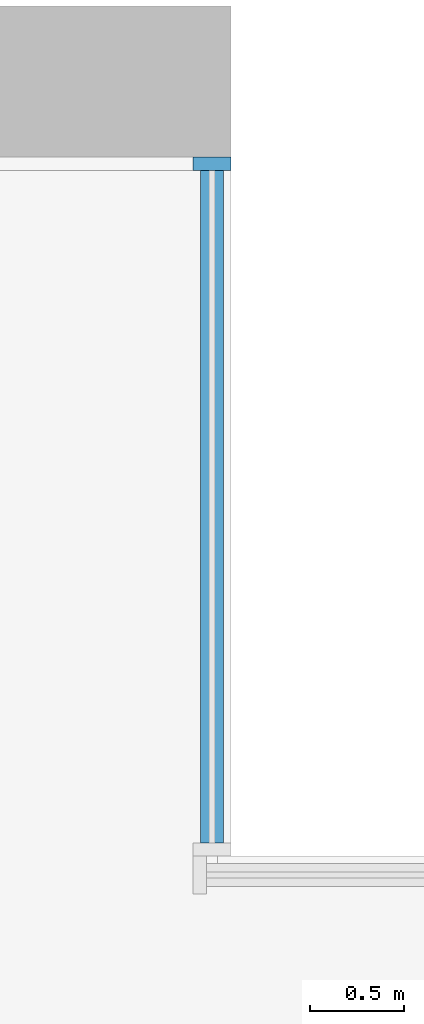
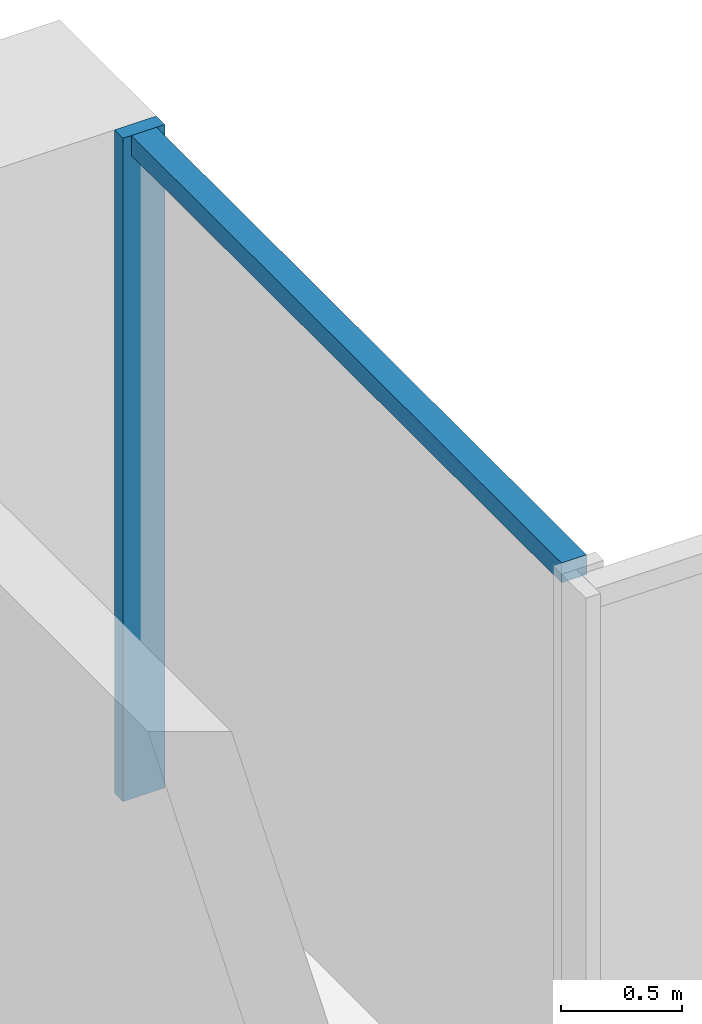
# One storey, part 6 of 15: 2 members, 1 element without a shape of its own.
"""IFC4 building model written with IfcOpenShell, lengths in metres."""

from ifc_helpers import new_model, si_unit, direction, frame, origin, origin_2d, place, context, subcontext, project, spatial, rectangle, extrude, material, material_profile, profile_set, type_object, element, aggregate, save


model = new_model("IFC4")

# Units and contexts
model_context = context("Model", 3, precision=1e-05, world=origin(), true_north=direction((0.0, 1.0)))
body_context = subcontext(model_context, "Body", "Model", "MODEL_VIEW")
ifc_project = project(units=[si_unit("LENGTHUNIT", "METRE"), si_unit("AREAUNIT", "SQUARE_METRE"), si_unit("VOLUMEUNIT", "CUBIC_METRE"), si_unit("PLANEANGLEUNIT", "RADIAN"), si_unit("MASSUNIT", "GRAM", prefix="KILO")], contexts=[model_context])

# Site, building, storey
site_placement = place(None, origin())
site = spatial("IfcSite", under=ifc_project, at=site_placement, CompositionType="ELEMENT")
building_placement = place(site_placement, origin())
building = spatial("IfcBuilding", under=site, at=building_placement, Name="Calvaro Tower", CompositionType="ELEMENT")
storey_placement = place(building_placement, frame((0.0, 0.0, 151.25)))
storey = spatial("IfcBuildingStorey", under=building, at=storey_placement, Name="L38", CompositionType="ELEMENT", Elevation=151.25)

# Curtain wall, members
ifc_material_1 = material(Name="Anodised aluminium", Category="aluminium")
curtain_wall_type = type_object("IfcCurtainWallType", Name="Office curtain wall, middle zone", PredefinedType="NOTDEFINED", material=ifc_material_1)
curtain_wall_placement = place(storey_placement, origin())
curtain_wall = element("IfcCurtainWall", 1, at=curtain_wall_placement, inside=storey, type_object=curtain_wall_type, Name="CW2 corner curtain wall", PredefinedType="NOTDEFINED")
ifc_material_2 = material(Name="Anodised aluminium", Category="aluminium")
ifc_material_profile_1 = material_profile(ifc_material_2, rectangle(XDim=0.199951171875, YDim=0.070068359375, at=origin_2d()), Name="Mullion S2 70 x 200")
ifc_profile_set_1 = profile_set([ifc_material_profile_1], Name="Anodised aluminium")
member_type_1 = type_object("IfcMemberType", Name="Mullion S2 70 x 200", PredefinedType="MULLION", material=ifc_profile_set_1)
member_1_placement = place(storey_placement, frame((66.35009765625, 45.1650390625, 0.0), z_axis=(0.0, 0.0, 1.0), x_axis=(-1.0, 0.0, 0.0)))
member_1 = element("IfcMember", 2, at=member_1_placement, type_object=member_type_1, Name="CW2 mullion 2", PredefinedType="MULLION", context=body_context, shape_type="SweptSolid", body=[
    extrude(rectangle(XDim=0.199951171875, YDim=0.070068359375, at=origin_2d()), origin(), (0.0, 0.0, 1.0), 3.35009765625),
])
ifc_material_3 = material(Name="Anodised aluminium", Category="aluminium")
ifc_material_profile_2 = material_profile(ifc_material_3, rectangle(XDim=0.1201171875, YDim=0.10009765625, at=origin_2d()), Name="Transom S2 100 x 120")
ifc_profile_set_2 = profile_set([ifc_material_profile_2], Name="Anodised aluminium")
member_type_2 = type_object("IfcMemberType", Name="Transom S2 100 x 120", PredefinedType="USERDEFINED", material=ifc_profile_set_2)
member_2_placement = place(storey_placement, frame((66.35009765625, 41.570068359375, 3.300048828125), z_axis=(0.0, 1.0, 0.0), x_axis=(-1.0, 0.0, 0.0)))
member_2 = element("IfcMember", 3, at=member_2_placement, type_object=member_type_2, Name="CW2 transom 1.1", ObjectType="TRANSOM", PredefinedType="USERDEFINED", context=body_context, shape_type="SweptSolid", body=[
    extrude(rectangle(XDim=0.1201171875, YDim=0.10009765625, at=origin_2d()), origin(), (0.0, 0.0, 1.0), 3.559814453125),
])
aggregate(curtain_wall, [member_1, member_2])

save(model, "model.ifc")
